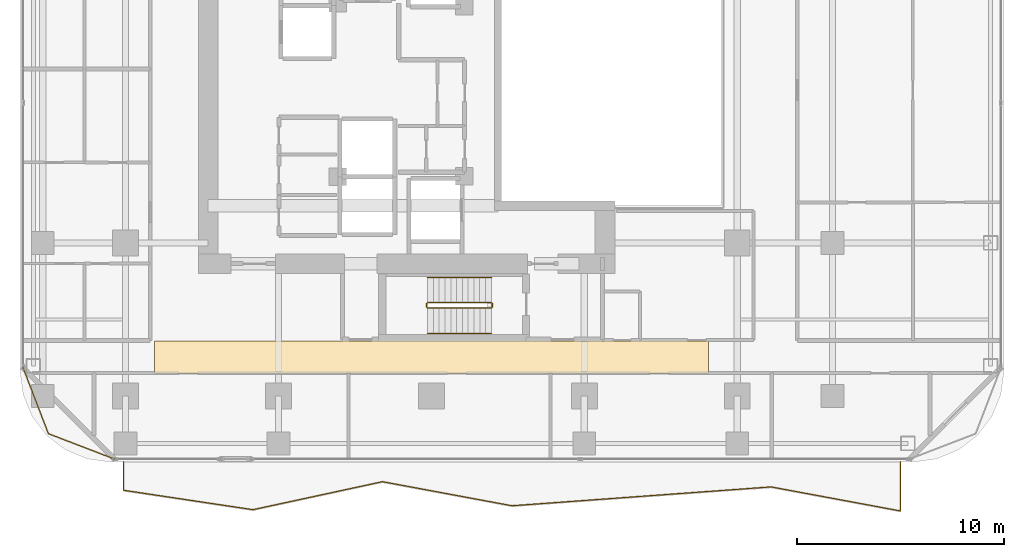
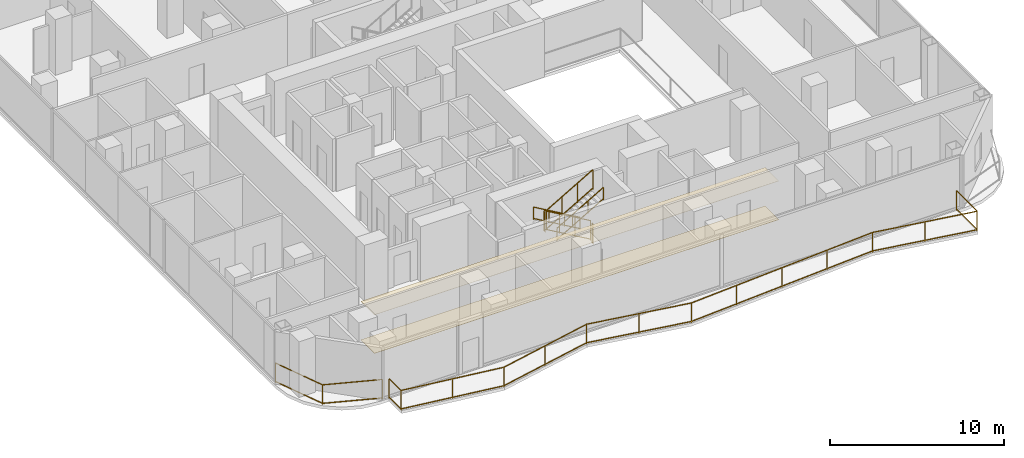
# One storey, part 24 of 26: 8 railings, 2 coverings.
"""IFC4 building model written with IfcOpenShell, lengths in metres."""

from ifc_helpers import new_model, si_unit, direction, frame, origin, origin_2d, place, context, subcontext, project, spatial, polyline, rectangle, outline, extrude, material, layer, layer_set, type_object, element, save


model = new_model("IFC4")

# Units and contexts
model_context = context("Model", 3, precision=1e-05, world=origin(), true_north=direction((0.0, 1.0)))
body_context = subcontext(model_context, "Body", "Model", "MODEL_VIEW")
ifc_project = project(units=[si_unit("LENGTHUNIT", "METRE"), si_unit("AREAUNIT", "SQUARE_METRE"), si_unit("VOLUMEUNIT", "CUBIC_METRE"), si_unit("PLANEANGLEUNIT", "RADIAN"), si_unit("MASSUNIT", "GRAM", prefix="KILO")], contexts=[model_context])

# Site, building, storey
site_placement = place(None, origin())
site = spatial("IfcSite", under=ifc_project, at=site_placement, CompositionType="ELEMENT")
building_placement = place(site_placement, origin())
building = spatial("IfcBuilding", under=site, at=building_placement, Name="Khorvyn Point Tower", CompositionType="ELEMENT")
storey_placement = place(building_placement, frame((0.0, 0.0, 113.39990234375)))
storey = spatial("IfcBuildingStorey", under=building, at=storey_placement, Name="L28", CompositionType="ELEMENT", Elevation=113.39990234375)

# Railings
ifc_material_1 = material(Name="Anodised aluminium 6063-T6 and laminated safety glass", Category="aluminium")
railing_type_1 = type_object("IfcRailingType", Name="Laminated Glass and Aluminium Balcony Guardrail 1400", PredefinedType="BALUSTRADE", material=ifc_material_1)
railing_1_placement = place(storey_placement, frame((-19.774169921875, -13.3759765625, 0.0)))
element("IfcRailing", 1, at=railing_1_placement, inside=storey, type_object=railing_type_1, Name="L28 Rounded Corner Edge Guardrail SW", PredefinedType="BALUSTRADE", context=body_context, shape_type="SweptSolid", body=[
    extrude(rectangle(XDim=0.048095703125, YDim=0.048095703125, at=origin_2d()), frame((0.0, 0.0, 1.3759765625), z_axis=(0.358382264808, -0.933574931257, 0.0), x_axis=(0.933574931257, 0.358382264808, 0.0)), (0.0, 0.0, 1.0), 3.481689453125),
    extrude(rectangle(XDim=0.048095703125, YDim=0.048095703125, at=origin_2d()), frame((0.0, 0.0, 0.080078125), z_axis=(0.358382264808, -0.933574931257, 0.0), x_axis=(0.933574931257, 0.358382264808, 0.0)), (0.0, 0.0, 1.0), 3.481689453125),
    extrude(rectangle(XDim=0.048095703125, YDim=0.048095703125, at=origin_2d()), frame((1.247802734375, -3.25048828125, 1.3759765625), z_axis=(0.933598390295, -0.358321148746, 0.0), x_axis=(0.358321148746, 0.933598390295, 0.0)), (0.0, 0.0, 1.0), 3.481689453125),
    extrude(rectangle(XDim=0.048095703125, YDim=0.048095703125, at=origin_2d()), frame((1.247802734375, -3.25048828125, 0.080078125), z_axis=(0.933598390295, -0.358321148746, 0.0), x_axis=(0.358321148746, 0.933598390295, 0.0)), (0.0, 0.0, 1.0), 3.481689453125),
    extrude(rectangle(XDim=0.0419921875, YDim=0.0419921875, at=origin_2d()), origin(), (0.0, 0.0, 1.0), 1.351806640625),
    extrude(rectangle(XDim=0.0419921875, YDim=0.0419921875, at=origin_2d()), frame((1.247802734375, -3.25048828125, 0.0)), (0.0, 0.0, 1.0), 1.351806640625),
    extrude(rectangle(XDim=0.0419921875, YDim=0.0419921875, at=origin_2d()), frame((4.498291015625, -4.498046875, 0.0)), (0.0, 0.0, 1.0), 1.351806640625),
])
railing_2_placement = place(storey_placement, frame((-14.89990234375, -18.0, 0.0)))
element("IfcRailing", 2, at=railing_2_placement, inside=storey, type_object=railing_type_1, Name="L28 South Balcony Guardrail", PredefinedType="BALUSTRADE", context=body_context, shape_type="SweptSolid", body=[
    extrude(rectangle(XDim=0.048095703125, YDim=0.048095703125, at=origin_2d()), frame((0.0, 0.0, 1.3759765625), z_axis=(0.0, -1.0, 0.0), x_axis=(1.0, 0.0, 0.0)), (0.0, 0.0, 1.0), 1.362548828125),
    extrude(rectangle(XDim=0.048095703125, YDim=0.048095703125, at=origin_2d()), frame((0.0, 0.0, 0.080078125), z_axis=(0.0, -1.0, 0.0), x_axis=(1.0, 0.0, 0.0)), (0.0, 0.0, 1.0), 1.362548828125),
    extrude(rectangle(XDim=0.048095703125, YDim=0.048095703125, at=origin_2d()), frame((0.0, -1.362548828125, 1.3759765625), z_axis=(0.988914865266, -0.148483632957, 0.0), x_axis=(0.148483632957, 0.988914865266, 0.0)), (0.0, 0.0, 1.0), 6.3369140625),
    extrude(rectangle(XDim=0.048095703125, YDim=0.048095703125, at=origin_2d()), frame((0.0, -1.362548828125, 0.080078125), z_axis=(0.988914865266, -0.148483632957, 0.0), x_axis=(0.148483632957, 0.988914865266, 0.0)), (0.0, 0.0, 1.0), 6.3369140625),
    extrude(rectangle(XDim=0.048095703125, YDim=0.048095703125, at=origin_2d()), frame((6.2666015625, -2.303466796875, 1.3759765625), z_axis=(0.977405023503, 0.21137506956, 0.0), x_axis=(-0.21137506956, 0.977405023503, 0.0)), (0.0, 0.0, 1.0), 6.411376953125),
    extrude(rectangle(XDim=0.048095703125, YDim=0.048095703125, at=origin_2d()), frame((6.2666015625, -2.303466796875, 0.080078125), z_axis=(0.977405023503, 0.21137506956, 0.0), x_axis=(-0.21137506956, 0.977405023503, 0.0)), (0.0, 0.0, 1.0), 6.411376953125),
    extrude(rectangle(XDim=0.048095703125, YDim=0.048095703125, at=origin_2d()), frame((12.533203125, -0.9482421875, 1.3759765625), z_axis=(0.983139978967, -0.182854537151, 0.0), x_axis=(0.182854537151, 0.983139978967, 0.0)), (0.0, 0.0, 1.0), 6.3740234375),
    extrude(rectangle(XDim=0.048095703125, YDim=0.048095703125, at=origin_2d()), frame((12.533203125, -0.9482421875, 0.080078125), z_axis=(0.983139978967, -0.182854537151, 0.0), x_axis=(0.182854537151, 0.983139978967, 0.0)), (0.0, 0.0, 1.0), 6.3740234375),
    extrude(rectangle(XDim=0.048095703125, YDim=0.048095703125, at=origin_2d()), frame((18.7998046875, -2.11376953125, 1.3759765625), z_axis=(0.997359731635, 0.07261932052, 0.0), x_axis=(-0.07261932052, 0.997359731635, 0.0)), (0.0, 0.0, 1.0), 6.283447265625),
    extrude(rectangle(XDim=0.048095703125, YDim=0.048095703125, at=origin_2d()), frame((18.7998046875, -2.11376953125, 0.080078125), z_axis=(0.997359731635, 0.07261932052, 0.0), x_axis=(-0.07261932052, 0.997359731635, 0.0)), (0.0, 0.0, 1.0), 6.283447265625),
    extrude(rectangle(XDim=0.048095703125, YDim=0.048095703125, at=origin_2d()), frame((25.066650390625, -1.657470703125, 1.3759765625), z_axis=(0.997359526721, 0.072622134776, 0.0), x_axis=(-0.072622134776, 0.997359526721, 0.0)), (0.0, 0.0, 1.0), 6.283203125),
    extrude(rectangle(XDim=0.048095703125, YDim=0.048095703125, at=origin_2d()), frame((25.066650390625, -1.657470703125, 0.080078125), z_axis=(0.997359526721, 0.072622134776, 0.0), x_axis=(-0.072622134776, 0.997359526721, 0.0)), (0.0, 0.0, 1.0), 6.283203125),
    extrude(rectangle(XDim=0.048095703125, YDim=0.048095703125, at=origin_2d()), frame((31.333251953125, -1.201171875, 1.3759765625), z_axis=(0.983139978967, -0.182854537151, 0.0), x_axis=(0.182854537151, 0.983139978967, 0.0)), (0.0, 0.0, 1.0), 6.3740234375),
    extrude(rectangle(XDim=0.048095703125, YDim=0.048095703125, at=origin_2d()), frame((31.333251953125, -1.201171875, 0.080078125), z_axis=(0.983139978967, -0.182854537151, 0.0), x_axis=(0.182854537151, 0.983139978967, 0.0)), (0.0, 0.0, 1.0), 6.3740234375),
    extrude(rectangle(XDim=0.048095703125, YDim=0.048095703125, at=origin_2d()), frame((37.599853515625, -2.36669921875, 1.3759765625), z_axis=(0.0, 1.0, 0.0), x_axis=(-1.0, 0.0, 0.0)), (0.0, 0.0, 1.0), 2.36669921875),
    extrude(rectangle(XDim=0.048095703125, YDim=0.048095703125, at=origin_2d()), frame((37.599853515625, -2.36669921875, 0.080078125), z_axis=(0.0, 1.0, 0.0), x_axis=(-1.0, 0.0, 0.0)), (0.0, 0.0, 1.0), 2.36669921875),
    extrude(rectangle(XDim=0.0419921875, YDim=0.0419921875, at=origin_2d()), origin(), (0.0, 0.0, 1.0), 1.351806640625),
    extrude(rectangle(XDim=0.0419921875, YDim=0.0419921875, at=origin_2d()), frame((0.0, -1.362548828125, 0.0)), (0.0, 0.0, 1.0), 1.351806640625),
    extrude(rectangle(XDim=0.0419921875, YDim=0.0419921875, at=origin_2d()), frame((3.13330078125, -1.8330078125, 0.0)), (0.0, 0.0, 1.0), 1.351806640625),
    extrude(rectangle(XDim=0.0419921875, YDim=0.0419921875, at=origin_2d()), frame((6.2666015625, -2.303466796875, 0.0)), (0.0, 0.0, 1.0), 1.351806640625),
    extrude(rectangle(XDim=0.0419921875, YDim=0.0419921875, at=origin_2d()), frame((9.39990234375, -1.6259765625, 0.0)), (0.0, 0.0, 1.0), 1.351806640625),
    extrude(rectangle(XDim=0.0419921875, YDim=0.0419921875, at=origin_2d()), frame((12.533203125, -0.9482421875, 0.0)), (0.0, 0.0, 1.0), 1.351806640625),
    extrude(rectangle(XDim=0.0419921875, YDim=0.0419921875, at=origin_2d()), frame((15.66650390625, -1.531005859375, 0.0)), (0.0, 0.0, 1.0), 1.351806640625),
    extrude(rectangle(XDim=0.0419921875, YDim=0.0419921875, at=origin_2d()), frame((18.7998046875, -2.11376953125, 0.0)), (0.0, 0.0, 1.0), 1.351806640625),
    extrude(rectangle(XDim=0.0419921875, YDim=0.0419921875, at=origin_2d()), frame((21.93310546875, -1.8857421875, 0.0)), (0.0, 0.0, 1.0), 1.351806640625),
    extrude(rectangle(XDim=0.0419921875, YDim=0.0419921875, at=origin_2d()), frame((25.066650390625, -1.657470703125, 0.0)), (0.0, 0.0, 1.0), 1.351806640625),
    extrude(rectangle(XDim=0.0419921875, YDim=0.0419921875, at=origin_2d()), frame((28.199951171875, -1.42919921875, 0.0)), (0.0, 0.0, 1.0), 1.351806640625),
    extrude(rectangle(XDim=0.0419921875, YDim=0.0419921875, at=origin_2d()), frame((31.333251953125, -1.201171875, 0.0)), (0.0, 0.0, 1.0), 1.351806640625),
    extrude(rectangle(XDim=0.0419921875, YDim=0.0419921875, at=origin_2d()), frame((34.466552734375, -1.783935546875, 0.0)), (0.0, 0.0, 1.0), 1.351806640625),
    extrude(rectangle(XDim=0.0419921875, YDim=0.0419921875, at=origin_2d()), frame((37.599853515625, -2.36669921875, 0.0)), (0.0, 0.0, 1.0), 1.351806640625),
    extrude(rectangle(XDim=0.0419921875, YDim=0.0419921875, at=origin_2d()), frame((37.599853515625, 0.0, 0.0)), (0.0, 0.0, 1.0), 1.351806640625),
])

# Coverings
ifc_material_2 = material(Name="Mineral-fibre acoustic ceiling board", Category="gypsum")
ifc_layer_1 = layer(ifc_material_2, 0.02001953125)
ifc_layer_set_1 = layer_set([ifc_layer_1], Name="Perforated Mineral-Fibre Acoustic Suspended Ceiling 20")
covering_type_1 = type_object("IfcCoveringType", Name="Perforated Mineral-Fibre Acoustic Suspended Ceiling 20", PredefinedType="CEILING", material=ifc_layer_set_1)
covering_1_placement = place(storey_placement, frame((0.0, 0.0, 2.7001953125)))
element("IfcCovering", 3, at=covering_1_placement, inside=storey, type_object=covering_type_1, Name="L28 South Corridor Acoustic Ceiling", PredefinedType="CEILING", context=body_context, shape_type="SweptSolid", body=[
    extrude(outline(polyline([(-13.39990234375, -13.7099609375), (13.39990234375, -13.7099609375), (13.39990234375, -12.139892578125), (-13.39990234375, -12.139892578125), (-13.39990234375, -13.7099609375)])), origin(), (0.0, 0.0, 1.0), 0.02001953125),
])
ifc_material_3 = material(Name="Vitrified porcelain terrazzo tile", Category="ceramic")
ifc_layer_2 = layer(ifc_material_3, 0.01806640625)
ifc_layer_set_2 = layer_set([ifc_layer_2], Name="Porcelain Terrazzo Corridor Floor Finish Tile 18")
covering_type_2 = type_object("IfcCoveringType", Name="Porcelain Terrazzo Corridor Floor Finish Tile 18", PredefinedType="FLOORING", material=ifc_layer_set_2)
covering_2_placement = place(storey_placement, origin())
element("IfcCovering", 4, at=covering_2_placement, inside=storey, type_object=covering_type_2, Name="L28 South Corridor Terrazzo Flooring", PredefinedType="FLOORING", context=body_context, shape_type="SweptSolid", body=[
    extrude(outline(polyline([(-13.39990234375, -13.7099609375), (13.39990234375, -13.7099609375), (13.39990234375, -12.139892578125), (-13.39990234375, -12.139892578125), (-13.39990234375, -13.7099609375)])), origin(), (0.0, 0.0, 1.0), 0.01806640625),
])

# Railings
ifc_material_4 = material(Name="Stainless steel 1.4301", Category="steel")
railing_type_2 = type_object("IfcRailingType", Name="Stainless Steel 304 Stair Pitch Handrail 900", PredefinedType="HANDRAIL", material=ifc_material_4)
railing_3_placement = place(storey_placement, frame((2.89990234375, -9.070068359375, 0.16259765625)))
element("IfcRailing", 5, at=railing_3_placement, inside=storey, type_object=railing_type_2, Name="L28 ST-01 stair handrail 1", PredefinedType="HANDRAIL", context=body_context, shape_type="SweptSolid", body=[
    extrude(rectangle(XDim=0.048095703125, YDim=0.048095703125, at=origin_2d()), frame((0.0, 0.0, 0.8759765625), z_axis=(-0.864873446163, 0.0, 0.501989962173), x_axis=(0.0, -1.0, 0.0)), (0.0, 0.0, 1.0), 3.56103515625),
    extrude(rectangle(XDim=0.048095703125, YDim=0.048095703125, at=origin_2d()), frame((0.0, 0.0, 0.080078125), z_axis=(-0.864873446163, 0.0, 0.501989962173), x_axis=(0.0, -1.0, 0.0)), (0.0, 0.0, 1.0), 3.56103515625),
    extrude(rectangle(XDim=0.0419921875, YDim=0.0419921875, at=origin_2d()), origin(), (0.0, 0.0, 1.0), 0.851806640625),
    extrude(rectangle(XDim=0.0419921875, YDim=0.0419921875, at=origin_2d()), frame((-1.026611328125, 0.0, 0.595947265625)), (0.0, 0.0, 1.0), 0.851806640625),
    extrude(rectangle(XDim=0.0419921875, YDim=0.0419921875, at=origin_2d()), frame((-2.05322265625, 0.0, 1.191650390625)), (0.0, 0.0, 1.0), 0.851806640625),
    extrude(rectangle(XDim=0.0419921875, YDim=0.0419921875, at=origin_2d()), frame((-3.079833984375, 0.0, 1.78759765625)), (0.0, 0.0, 1.0), 0.851806640625),
])
railing_4_placement = place(storey_placement, frame((-0.179931640625, -11.77001953125, 2.112548828125)))
element("IfcRailing", 6, at=railing_4_placement, inside=storey, type_object=railing_type_2, Name="L28 ST-01 stair handrail 2", PredefinedType="HANDRAIL", context=body_context, shape_type="SweptSolid", body=[
    extrude(rectangle(XDim=0.048095703125, YDim=0.048095703125, at=origin_2d()), frame((0.0, 0.0, 0.8759765625), z_axis=(0.864873446163, 0.0, 0.501989962173), x_axis=(0.0, 1.0, 0.0)), (0.0, 0.0, 1.0), 3.56103515625),
    extrude(rectangle(XDim=0.048095703125, YDim=0.048095703125, at=origin_2d()), frame((0.0, 0.0, 0.080078125), z_axis=(0.864873446163, 0.0, 0.501989962173), x_axis=(0.0, 1.0, 0.0)), (0.0, 0.0, 1.0), 3.56103515625),
    extrude(rectangle(XDim=0.0419921875, YDim=0.0419921875, at=origin_2d()), origin(), (0.0, 0.0, 1.0), 0.851806640625),
    extrude(rectangle(XDim=0.0419921875, YDim=0.0419921875, at=origin_2d()), frame((1.026611328125, 0.0, 0.595947265625)), (0.0, 0.0, 1.0), 0.851806640625),
    extrude(rectangle(XDim=0.0419921875, YDim=0.0419921875, at=origin_2d()), frame((2.05322265625, 0.0, 1.191650390625)), (0.0, 0.0, 1.0), 0.851806640625),
    extrude(rectangle(XDim=0.0419921875, YDim=0.0419921875, at=origin_2d()), frame((3.079833984375, 0.0, 1.78759765625)), (0.0, 0.0, 1.0), 0.851806640625),
])
railing_type_3 = type_object("IfcRailingType", Name="Stainless Steel 304 Stair Well Guardrail 1400", PredefinedType="GUARDRAIL", material=ifc_material_4)
railing_5_placement = place(storey_placement, frame((2.89990234375, -10.2900390625, 0.16259765625)))
element("IfcRailing", 7, at=railing_5_placement, inside=storey, type_object=railing_type_3, Name="L28 ST-01 stair guard 1", PredefinedType="GUARDRAIL", context=body_context, shape_type="SweptSolid", body=[
    extrude(rectangle(XDim=0.048095703125, YDim=0.048095703125, at=origin_2d()), frame((0.0, 0.0, 1.3759765625), z_axis=(-0.864873446163, 0.0, 0.501989962173), x_axis=(0.0, -1.0, 0.0)), (0.0, 0.0, 1.0), 3.56103515625),
    extrude(rectangle(XDim=0.048095703125, YDim=0.048095703125, at=origin_2d()), frame((0.0, 0.0, 0.080078125), z_axis=(-0.864873446163, 0.0, 0.501989962173), x_axis=(0.0, -1.0, 0.0)), (0.0, 0.0, 1.0), 3.56103515625),
    extrude(rectangle(XDim=0.0419921875, YDim=0.0419921875, at=origin_2d()), origin(), (0.0, 0.0, 1.0), 1.351806640625),
    extrude(rectangle(XDim=0.0419921875, YDim=0.0419921875, at=origin_2d()), frame((-1.026611328125, 0.0, 0.595947265625)), (0.0, 0.0, 1.0), 1.351806640625),
    extrude(rectangle(XDim=0.0419921875, YDim=0.0419921875, at=origin_2d()), frame((-2.05322265625, 0.0, 1.191650390625)), (0.0, 0.0, 1.0), 1.351806640625),
    extrude(rectangle(XDim=0.0419921875, YDim=0.0419921875, at=origin_2d()), frame((-3.079833984375, 0.0, 1.78759765625)), (0.0, 0.0, 1.0), 1.351806640625),
])
railing_6_placement = place(storey_placement, frame((-0.22998046875, -10.340087890625, 1.9501953125)))
element("IfcRailing", 8, at=railing_6_placement, inside=storey, type_object=railing_type_3, Name="L28 ST-01 stair guard 2", PredefinedType="GUARDRAIL", context=body_context, shape_type="SweptSolid", body=[
    extrude(rectangle(XDim=0.048095703125, YDim=0.048095703125, at=origin_2d()), frame((0.0, 0.0, 1.3759765625), z_axis=(0.0, -1.0, 0.0), x_axis=(1.0, 0.0, 0.0)), (0.0, 0.0, 1.0), 0.159912109375),
    extrude(rectangle(XDim=0.048095703125, YDim=0.048095703125, at=origin_2d()), frame((0.0, 0.0, 0.080078125), z_axis=(0.0, -1.0, 0.0), x_axis=(1.0, 0.0, 0.0)), (0.0, 0.0, 1.0), 0.159912109375),
    extrude(rectangle(XDim=0.0419921875, YDim=0.0419921875, at=origin_2d()), origin(), (0.0, 0.0, 1.0), 1.351806640625),
    extrude(rectangle(XDim=0.0419921875, YDim=0.0419921875, at=origin_2d()), frame((0.0, -0.159912109375, 0.0)), (0.0, 0.0, 1.0), 1.351806640625),
])
railing_7_placement = place(storey_placement, frame((-0.179931640625, -10.550048828125, 2.112548828125)))
element("IfcRailing", 9, at=railing_7_placement, inside=storey, type_object=railing_type_3, Name="L28 ST-01 stair guard 3", PredefinedType="GUARDRAIL", context=body_context, shape_type="SweptSolid", body=[
    extrude(rectangle(XDim=0.048095703125, YDim=0.048095703125, at=origin_2d()), frame((0.0, 0.0, 1.3759765625), z_axis=(0.864873446163, 0.0, 0.501989962173), x_axis=(0.0, 1.0, 0.0)), (0.0, 0.0, 1.0), 3.56103515625),
    extrude(rectangle(XDim=0.048095703125, YDim=0.048095703125, at=origin_2d()), frame((0.0, 0.0, 0.080078125), z_axis=(0.864873446163, 0.0, 0.501989962173), x_axis=(0.0, 1.0, 0.0)), (0.0, 0.0, 1.0), 3.56103515625),
    extrude(rectangle(XDim=0.0419921875, YDim=0.0419921875, at=origin_2d()), origin(), (0.0, 0.0, 1.0), 1.351806640625),
    extrude(rectangle(XDim=0.0419921875, YDim=0.0419921875, at=origin_2d()), frame((1.026611328125, 0.0, 0.595947265625)), (0.0, 0.0, 1.0), 1.351806640625),
    extrude(rectangle(XDim=0.0419921875, YDim=0.0419921875, at=origin_2d()), frame((2.05322265625, 0.0, 1.191650390625)), (0.0, 0.0, 1.0), 1.351806640625),
    extrude(rectangle(XDim=0.0419921875, YDim=0.0419921875, at=origin_2d()), frame((3.079833984375, 0.0, 1.78759765625)), (0.0, 0.0, 1.0), 1.351806640625),
])
railing_8_placement = place(storey_placement, frame((2.949951171875, -10.340087890625, 0.0)))
element("IfcRailing", 10, at=railing_8_placement, inside=storey, type_object=railing_type_3, Name="L28 ST-01 stair guard 4", PredefinedType="GUARDRAIL", context=body_context, shape_type="SweptSolid", body=[
    extrude(rectangle(XDim=0.048095703125, YDim=0.048095703125, at=origin_2d()), frame((0.0, 0.0, 1.3759765625), z_axis=(0.0, -1.0, 0.0), x_axis=(1.0, 0.0, 0.0)), (0.0, 0.0, 1.0), 0.159912109375),
    extrude(rectangle(XDim=0.048095703125, YDim=0.048095703125, at=origin_2d()), frame((0.0, 0.0, 0.080078125), z_axis=(0.0, -1.0, 0.0), x_axis=(1.0, 0.0, 0.0)), (0.0, 0.0, 1.0), 0.159912109375),
    extrude(rectangle(XDim=0.0419921875, YDim=0.0419921875, at=origin_2d()), origin(), (0.0, 0.0, 1.0), 1.351806640625),
    extrude(rectangle(XDim=0.0419921875, YDim=0.0419921875, at=origin_2d()), frame((0.0, -0.159912109375, 0.0)), (0.0, 0.0, 1.0), 1.351806640625),
])

save(model, "model.ifc")
